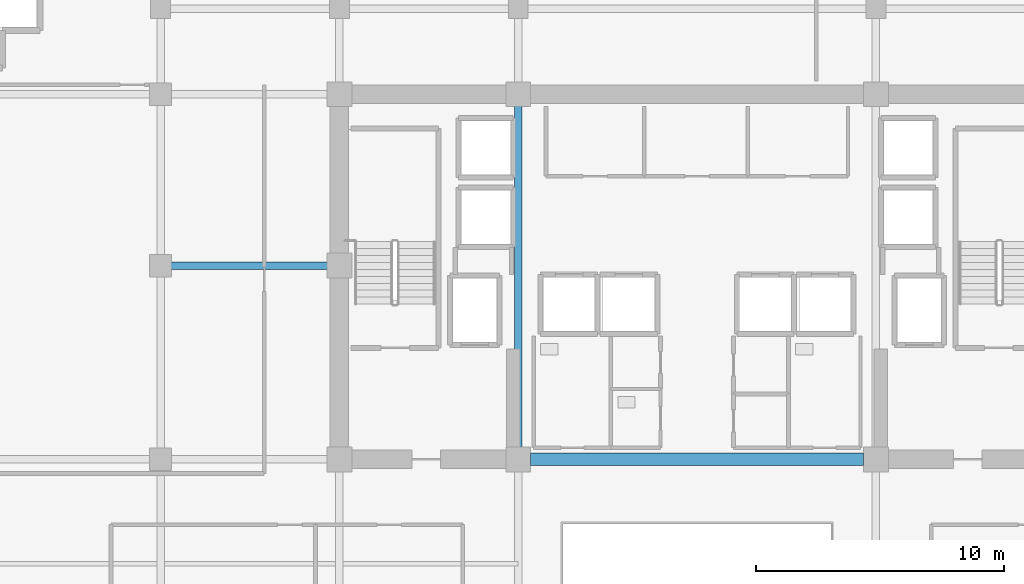
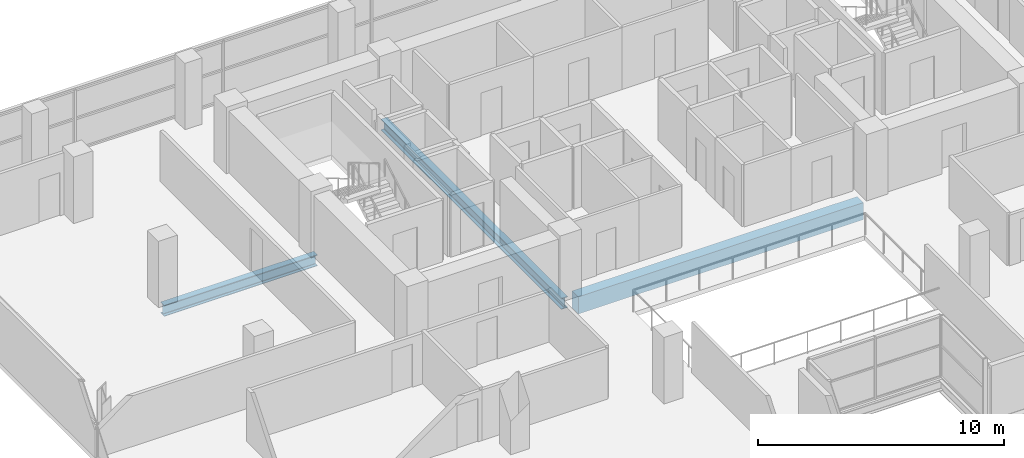
# One storey, part 10 of 25: 3 beams.
"""IFC4 building model written with IfcOpenShell, lengths in metres."""

from ifc_helpers import new_model, si_unit, direction, frame, origin, origin_2d, place, context, subcontext, project, spatial, rectangle, i_section, extrude, material, material_profile, profile_set, type_object, element, save


model = new_model("IFC4")

# Units and contexts
model_context = context("Model", 3, precision=1e-05, world=origin(), true_north=direction((0.0, 1.0)))
body_context = subcontext(model_context, "Body", "Model", "MODEL_VIEW")
ifc_project = project(units=[si_unit("LENGTHUNIT", "METRE"), si_unit("AREAUNIT", "SQUARE_METRE"), si_unit("VOLUMEUNIT", "CUBIC_METRE"), si_unit("PLANEANGLEUNIT", "RADIAN"), si_unit("MASSUNIT", "GRAM", prefix="KILO")], contexts=[model_context])

# Site, building, storey
site_placement = place(None, origin())
site = spatial("IfcSite", under=ifc_project, at=site_placement, CompositionType="ELEMENT")
building_placement = place(site_placement, origin())
building = spatial("IfcBuilding", under=site, at=building_placement, Name="Zarnakvel Exchange Tower", CompositionType="ELEMENT")
storey_placement = place(building_placement, frame((0.0, 0.0, 100.0)))
storey = spatial("IfcBuildingStorey", under=building, at=storey_placement, Name="L27", CompositionType="ELEMENT", Elevation=100.0)

# Beams
ifc_material_1 = material(Name="Concrete C60/75", Category="concrete")
ifc_material_profile_1 = material_profile(ifc_material_1, rectangle(XDim=0.5, YDim=0.85009765625, at=origin_2d()))
ifc_profile_set_1 = profile_set([ifc_material_profile_1], Name="Concrete C60/75")
beam_type_1 = type_object("IfcBeamType", Name="CB-02", PredefinedType="LINTEL", material=ifc_profile_set_1)
beam_1_placement = place(storey_placement, frame((-6.699951171875, -1.199951171875, -0.64990234375), z_axis=(1.0, 0.0, 0.0), x_axis=(0.0, 1.0, 0.0)))
element("IfcBeam", 1, at=beam_1_placement, inside=storey, type_object=beam_type_1, Name="L27 Rear Core South Coupling Beam (CB-02)", PredefinedType="LINTEL", context=body_context, shape_type="SweptSolid", body=[
    extrude(rectangle(XDim=0.5, YDim=0.85009765625, at=origin_2d()), origin(), (0.0, 0.0, 1.0), 13.39990234375),
])
ifc_material_2 = material(Name="Steel S355", Category="steel")
ifc_material_profile_2 = material_profile(ifc_material_2, i_section(OverallWidth=0.300048828125, OverallDepth=0.550048828125, WebThickness=0.014892578125, FlangeThickness=0.029052734375, FilletRadius=0.027099609375, at=origin_2d()))
ifc_profile_set_2 = profile_set([ifc_material_profile_2], Name="Steel S355")
beam_type_2 = type_object("IfcBeamType", Name="G-05", PredefinedType="BEAM", material=ifc_profile_set_2)
beam_2_placement = place(storey_placement, frame((-21.60009765625, 6.60009765625, -0.5), z_axis=(1.0, 0.0, 0.0), x_axis=(0.0, 1.0, 0.0)))
element("IfcBeam", 2, at=beam_2_placement, inside=storey, type_object=beam_type_2, Name="L27 Tower E-W Frame Beam", PredefinedType="BEAM", context=body_context, shape_type="SweptSolid", body=[
    extrude(i_section(OverallWidth=0.300048828125, OverallDepth=0.550048828125, WebThickness=0.014892578125, FlangeThickness=0.029052734375, FilletRadius=0.027099609375, at=origin_2d()), origin(), (0.0, 0.0, 1.0), 7.2001953125),
])
beam_3_placement = place(storey_placement, frame((-7.199951171875, -1.199951171875, -0.5), z_axis=(0.0, 1.0, 0.0), x_axis=(-1.0, 0.0, 0.0)))
element("IfcBeam", 3, at=beam_3_placement, inside=storey, type_object=beam_type_2, Name="L27 Tower N-S Frame Beam", PredefinedType="BEAM", context=body_context, shape_type="SweptSolid", body=[
    extrude(i_section(OverallWidth=0.300048828125, OverallDepth=0.550048828125, WebThickness=0.014892578125, FlangeThickness=0.029052734375, FilletRadius=0.027099609375, at=origin_2d()), origin(), (0.0, 0.0, 1.0), 14.699951171875),
])

save(model, "model.ifc")
